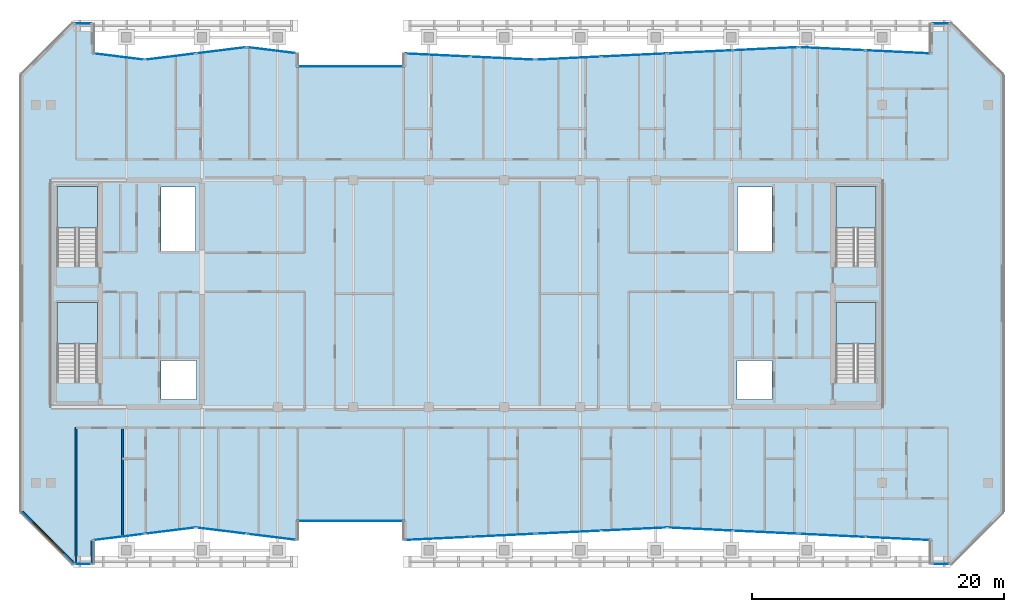
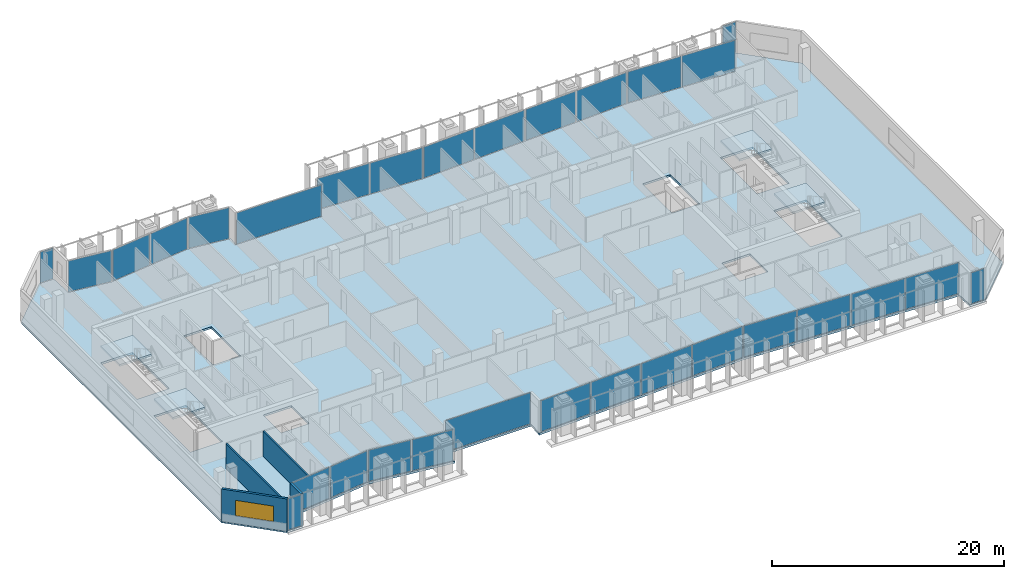
# One storey, part 20 of 32: 30 plates, 5 slabs, 4 walls, 1 window, 1 opening, 26 elements without a shape of their own.
"""IFC4 building model written with IfcOpenShell, lengths in metres."""

from ifc_helpers import new_model, si_unit, direction, frame, frame_2d, origin, origin_2d, place, context, subcontext, project, spatial, polyline, rectangle, outline, extrude, material, layer, layer_set, type_object, element, fill, aggregate, save


model = new_model("IFC4")

# Units and contexts
model_context = context("Model", 3, precision=1e-05, world=origin(), true_north=direction((0.0, 1.0)))
body_context = subcontext(model_context, "Body", "Model", "MODEL_VIEW")
ifc_project = project(units=[si_unit("LENGTHUNIT", "METRE"), si_unit("AREAUNIT", "SQUARE_METRE"), si_unit("VOLUMEUNIT", "CUBIC_METRE"), si_unit("PLANEANGLEUNIT", "RADIAN"), si_unit("MASSUNIT", "GRAM", prefix="KILO")], contexts=[model_context])

# Site, building, storey
site_placement = place(None, origin())
site = spatial("IfcSite", under=ifc_project, at=site_placement, CompositionType="ELEMENT")
building_placement = place(site_placement, origin())
building = spatial("IfcBuilding", under=site, at=building_placement, Name="Tanjung Sevakor Pilgrim Tower", CompositionType="ELEMENT")
storey_placement = place(building_placement, frame((0.0, 0.0, 211.860107421875)))
storey = spatial("IfcBuildingStorey", under=building, at=storey_placement, Name="L59", CompositionType="ELEMENT", Elevation=211.860107421875)

# Stair, slab
ifc_material_1 = material(Name="Concrete C40/50", Category="concrete")
stair_type = type_object("IfcStairType", Name="STAIR-ST-CR150", PredefinedType="HALF_TURN_STAIR", material=ifc_material_1)
stair_1_placement = place(storey_placement, origin())
stair_1 = element("IfcStair", 1, at=stair_1_placement, inside=storey, type_object=stair_type, Name="L59 West Core Exit Stair 1", PredefinedType="HALF_TURN_STAIR")
ifc_material_2 = material(Name="Concrete C40/50", Category="concrete")
ifc_layer_1 = layer(ifc_material_2, 0.199951171875)
ifc_layer_set_1 = layer_set([ifc_layer_1], Name="SL-LAND-200")
slab_type_1 = type_object("IfcSlabType", Name="SL-LAND-200", PredefinedType="LANDING", material=ifc_layer_set_1)
slab_1_placement = place(storey_placement, frame((0.0, 0.0, 1.614990234375)))
slab_1 = element("IfcSlab", 2, at=slab_1_placement, type_object=slab_type_1, Name="TS-W1 landing 1", PredefinedType="LANDING", context=body_context, shape_type="SweptSolid", body=[
    extrude(outline(polyline([(27.699951171875, 29.60009765625), (27.699951171875, 32.89990234375), (24.5, 32.89990234375), (24.5, 29.60009765625), (27.699951171875, 29.60009765625)])), origin(), (0.0, 0.0, 1.0), 0.199951171875),
])
aggregate(stair_1, [slab_1])

stair_2_placement = place(storey_placement, origin())
stair_2 = element("IfcStair", 3, at=stair_2_placement, inside=storey, type_object=stair_type, Name="L59 West Core Exit Stair 2", PredefinedType="HALF_TURN_STAIR")
slab_2_placement = place(storey_placement, frame((0.0, 0.0, 1.614990234375)))
slab_2 = element("IfcSlab", 4, at=slab_2_placement, type_object=slab_type_1, Name="TS-W2 landing 1", PredefinedType="LANDING", context=body_context, shape_type="SweptSolid", body=[
    extrude(outline(polyline([(27.699951171875, 38.800048828125), (27.699951171875, 42.10009765625), (24.5, 42.10009765625), (24.5, 38.800048828125), (27.699951171875, 38.800048828125)])), origin(), (0.0, 0.0, 1.0), 0.199951171875),
])
aggregate(stair_2, [slab_2])

stair_3_placement = place(storey_placement, origin())
stair_3 = element("IfcStair", 5, at=stair_3_placement, inside=storey, type_object=stair_type, Name="L59 East Core Exit Stair 1", PredefinedType="HALF_TURN_STAIR")
slab_3_placement = place(storey_placement, frame((0.0, 0.0, 1.614990234375)))
slab_3 = element("IfcSlab", 6, at=slab_3_placement, type_object=slab_type_1, Name="TS-E1 landing 1", PredefinedType="LANDING", context=body_context, shape_type="SweptSolid", body=[
    extrude(outline(polyline([(89.5, 29.60009765625), (89.5, 32.89990234375), (86.300048828125, 32.89990234375), (86.300048828125, 29.60009765625), (89.5, 29.60009765625)])), origin(), (0.0, 0.0, 1.0), 0.199951171875),
])
aggregate(stair_3, [slab_3])

stair_4_placement = place(storey_placement, origin())
stair_4 = element("IfcStair", 7, at=stair_4_placement, inside=storey, type_object=stair_type, Name="L59 East Core Exit Stair 2", PredefinedType="HALF_TURN_STAIR")
slab_4_placement = place(storey_placement, frame((0.0, 0.0, 1.614990234375)))
slab_4 = element("IfcSlab", 8, at=slab_4_placement, type_object=slab_type_1, Name="TS-E2 landing 1", PredefinedType="LANDING", context=body_context, shape_type="SweptSolid", body=[
    extrude(outline(polyline([(89.5, 38.800048828125), (89.5, 42.10009765625), (86.300048828125, 42.10009765625), (86.300048828125, 38.800048828125), (89.5, 38.800048828125)])), origin(), (0.0, 0.0, 1.0), 0.199951171875),
])
aggregate(stair_4, [slab_4])

# Slab
ifc_material_3 = material(Name="Concrete C40/50", Category="concrete")
ifc_layer_2 = layer(ifc_material_3, 0.219970703125)
ifc_layer_set_2 = layer_set([ifc_layer_2], Name="SL-TWR-220")
slab_type_2 = type_object("IfcSlabType", Name="SL-TWR-220", PredefinedType="FLOOR", material=ifc_layer_set_2)
slab_5_placement = place(storey_placement, frame((0.0, 0.0, -0.22021484375)))
element("IfcSlab", 9, at=slab_5_placement, inside=storey, type_object=slab_type_2, Name="L59 Floor Slab MAIN", PredefinedType="FLOOR", context=body_context, shape_type="SweptSolid", body=[
    extrude(outline(polyline([(25.846923828125, 12.1298828125), (27.320068359375, 12.1298828125), (27.39990234375, 14.010009765625), (31.449951171875, 14.510009765625), (35.5, 15.010009765625), (39.550048828125, 14.510009765625), (43.60009765625, 14.010009765625), (43.52001953125, 15.530029296875), (52.080078125, 15.530029296875), (52.0, 14.010009765625), (62.449951171875, 14.510009765625), (72.89990234375, 15.010009765625), (83.35009765625, 14.510009765625), (93.800048828125, 14.010009765625), (93.8798828125, 12.1298828125), (95.35302734375, 12.1298828125), (99.52001953125, 16.296875), (99.52001953125, 50.903076171875), (95.35302734375, 55.070068359375), (93.8798828125, 55.070068359375), (93.800048828125, 52.68994140625), (83.35009765625, 53.18994140625), (72.89990234375, 52.68994140625), (62.449951171875, 52.18994140625), (52.0, 52.68994140625), (52.080078125, 51.669921875), (43.52001953125, 51.669921875), (43.60009765625, 52.68994140625), (39.550048828125, 53.18994140625), (35.5, 52.68994140625), (31.449951171875, 52.18994140625), (27.39990234375, 52.68994140625), (27.320068359375, 55.070068359375), (25.846923828125, 55.070068359375), (21.679931640625, 50.903076171875), (21.679931640625, 16.296875), (25.846923828125, 12.1298828125)]), holes=[polyline([(27.699951171875, 26.60009765625), (27.699951171875, 32.89990234375), (24.5, 32.89990234375), (24.5, 26.60009765625), (27.699951171875, 26.60009765625)]), polyline([(27.699951171875, 35.800048828125), (27.699951171875, 42.10009765625), (24.5, 42.10009765625), (24.5, 35.800048828125), (27.699951171875, 35.800048828125)]), polyline([(89.5, 26.60009765625), (89.5, 32.89990234375), (86.300048828125, 32.89990234375), (86.300048828125, 26.60009765625), (89.5, 26.60009765625)]), polyline([(89.5, 35.800048828125), (89.5, 42.10009765625), (86.300048828125, 42.10009765625), (86.300048828125, 35.800048828125), (89.5, 35.800048828125)]), polyline([(32.75, 25.199951171875), (35.550048828125, 25.199951171875), (35.550048828125, 28.300048828125), (32.75, 28.300048828125), (32.75, 25.199951171875)]), polyline([(32.75, 37.0), (35.5, 37.0), (35.5, 42.050048828125), (32.75, 42.050048828125), (32.75, 37.0)]), polyline([(78.449951171875, 25.199951171875), (81.25, 25.199951171875), (81.25, 28.300048828125), (78.449951171875, 28.300048828125), (78.449951171875, 25.199951171875)]), polyline([(78.5, 37.0), (81.25, 37.0), (81.25, 42.050048828125), (78.5, 42.050048828125), (78.5, 37.0)])]), origin(), (0.0, 0.0, 1.0), 0.22021484375),
])

# Curtain wall, plate
ifc_material_4 = material(Name="Aluminium 6063-T6 and Low-E Glass", Category="aluminium")
ifc_layer_3 = layer(ifc_material_4, 0.179931640625)
ifc_layer_set_3 = layer_set([ifc_layer_3], Name="CW-SYS-CLEFT")
curtain_wall_type_1 = type_object("IfcCurtainWallType", Name="CW-SYS-CLEFT", PredefinedType="NOTDEFINED", material=ifc_layer_set_3)
curtain_wall_1_placement = place(storey_placement, origin())
curtain_wall_1 = element("IfcCurtainWall", 10, at=curtain_wall_1_placement, inside=storey, type_object=curtain_wall_type_1, Name="L59 Curtain Wall CW-CLF-L59-7", PredefinedType="NOTDEFINED")
ifc_material_5 = material(Name="Laminated Low-E Double Glazing", Category="glass")
ifc_layer_4 = layer(ifc_material_5, 0.028076171875)
ifc_layer_set_4 = layer_set([ifc_layer_4], Name="TYPE-CWP-GLZ1")
plate_type_1 = type_object("IfcPlateType", Name="TYPE-CWP-GLZ1", PredefinedType="CURTAIN_PANEL", material=ifc_layer_set_4)
plate_1_placement = place(storey_placement, frame((47.800048828125, 15.56005859375, 0.06494140625), z_axis=(0.0, 0.0, 1.0), x_axis=(1.0, 0.0, 0.0)))
plate_1 = element("IfcPlate", 11, at=plate_1_placement, type_object=plate_type_1, Name="CW-CLF panel 1.1", PredefinedType="CURTAIN_PANEL", context=body_context, shape_type="SweptSolid", body=[
    extrude(rectangle(XDim=8.469970703125, YDim=0.028076171875, at=origin_2d()), origin(), (0.0, 0.0, 1.0), 3.280029296875),
])
aggregate(curtain_wall_1, [plate_1])

curtain_wall_2_placement = place(storey_placement, origin())
curtain_wall_2 = element("IfcCurtainWall", 12, at=curtain_wall_2_placement, inside=storey, type_object=curtain_wall_type_1, Name="L59 Curtain Wall CW-CLF-L59-25", PredefinedType="NOTDEFINED")
plate_2_placement = place(storey_placement, frame((47.800048828125, 51.639892578125, 0.06494140625), z_axis=(0.0, 0.0, 1.0), x_axis=(-1.0, 0.0, 0.0)))
plate_2 = element("IfcPlate", 13, at=plate_2_placement, type_object=plate_type_1, Name="CW-CLF panel 1.1", PredefinedType="CURTAIN_PANEL", context=body_context, shape_type="SweptSolid", body=[
    extrude(rectangle(XDim=8.469970703125, YDim=0.028076171875, at=origin_2d()), origin(), (0.0, 0.0, 1.0), 3.280029296875),
])
aggregate(curtain_wall_2, [plate_2])

ifc_material_6 = material(Name="Aluminium 6063-T6 and Low-E Glass", Category="aluminium")
ifc_layer_5 = layer(ifc_material_6, 0.199951171875)
ifc_layer_set_5 = layer_set([ifc_layer_5], Name="CW-SYS-PRAY")
curtain_wall_type_2 = type_object("IfcCurtainWallType", Name="CW-SYS-PRAY", PredefinedType="NOTDEFINED", material=ifc_layer_set_5)
curtain_wall_3_placement = place(storey_placement, origin())
curtain_wall_3 = element("IfcCurtainWall", 14, at=curtain_wall_3_placement, inside=storey, type_object=curtain_wall_type_2, Name="L59 Curtain Wall CW-PRY-L59-0", PredefinedType="NOTDEFINED")
ifc_material_7 = material(Name="Solar-Control Low-E Acoustic Glazing", Category="glass")
ifc_layer_6 = layer(ifc_material_7, 0.031982421875)
ifc_layer_set_6 = layer_set([ifc_layer_6], Name="TYPE-CWP-GLZ2")
plate_type_2 = type_object("IfcPlateType", Name="TYPE-CWP-GLZ2", PredefinedType="CURTAIN_PANEL", material=ifc_layer_set_6)
plate_3_placement = place(storey_placement, frame((26.56787109375, 12.159912109375, 0.07470703125), z_axis=(0.0, 0.0, 1.0), x_axis=(1.0, 0.0, 0.0)))
plate_3 = element("IfcPlate", 15, at=plate_3_placement, type_object=plate_type_2, Name="CW-PRY panel 1.1", PredefinedType="CURTAIN_PANEL", context=body_context, shape_type="SweptSolid", body=[
    extrude(rectangle(XDim=1.29443359375, YDim=0.031982421875, at=origin_2d()), origin(), (0.0, 0.0, 1.0), 3.260009765625),
])
aggregate(curtain_wall_3, [plate_3])

curtain_wall_4_placement = place(storey_placement, origin())
curtain_wall_4 = element("IfcCurtainWall", 16, at=curtain_wall_4_placement, inside=storey, type_object=curtain_wall_type_2, Name="L59 Curtain Wall CW-PRY-L59-2", PredefinedType="NOTDEFINED")
plate_4_placement = place(storey_placement, frame((29.36328125, 14.283203125, 0.07470703125), z_axis=(0.0, 0.0, 1.0), x_axis=(0.992465628481, 0.122523370361, 0.0)))
plate_4 = element("IfcPlate", 17, at=plate_4_placement, type_object=plate_type_2, Name="CW-PRY panel 1.1", PredefinedType="CURTAIN_PANEL", context=body_context, shape_type="SweptSolid", body=[
    extrude(rectangle(XDim=4.028076171875, YDim=0.031982421875, at=origin_2d()), origin(), (0.0, 0.0, 1.0), 3.260009765625),
])
aggregate(curtain_wall_4, [plate_4])

curtain_wall_5_placement = place(storey_placement, origin())
curtain_wall_5 = element("IfcCurtainWall", 18, at=curtain_wall_5_placement, inside=storey, type_object=curtain_wall_type_2, Name="L59 Curtain Wall CW-PRY-L59-3", PredefinedType="NOTDEFINED")
plate_5_placement = place(storey_placement, frame((33.46826171875, 14.7900390625, 0.07470703125), z_axis=(0.0, 0.0, 1.0), x_axis=(0.992467213116, 0.122510533794, 0.0)))
plate_5 = element("IfcPlate", 19, at=plate_5_placement, type_object=plate_type_2, Name="CW-PRY panel 1.1", PredefinedType="CURTAIN_PANEL", context=body_context, shape_type="SweptSolid", body=[
    extrude(rectangle(XDim=3.9443359375, YDim=0.031982421875, at=origin_2d()), origin(), (0.0, 0.0, 1.0), 3.260009765625),
])
aggregate(curtain_wall_5, [plate_5])

curtain_wall_6_placement = place(storey_placement, origin())
curtain_wall_6 = element("IfcCurtainWall", 20, at=curtain_wall_6_placement, inside=storey, type_object=curtain_wall_type_2, Name="L59 Curtain Wall CW-PRY-L59-4", PredefinedType="NOTDEFINED")
plate_6_placement = place(storey_placement, frame((37.53173828125, 14.7900390625, 0.07470703125), z_axis=(0.0, 0.0, 1.0), x_axis=(0.992467213116, -0.122510533794, 0.0)))
plate_6 = element("IfcPlate", 21, at=plate_6_placement, type_object=plate_type_2, Name="CW-PRY panel 1.1", PredefinedType="CURTAIN_PANEL", context=body_context, shape_type="SweptSolid", body=[
    extrude(rectangle(XDim=3.9443359375, YDim=0.031982421875, at=origin_2d()), origin(), (0.0, 0.0, 1.0), 3.260009765625),
])
aggregate(curtain_wall_6, [plate_6])

curtain_wall_7_placement = place(storey_placement, origin())
curtain_wall_7 = element("IfcCurtainWall", 22, at=curtain_wall_7_placement, inside=storey, type_object=curtain_wall_type_2, Name="L59 Curtain Wall CW-PRY-L59-5", PredefinedType="NOTDEFINED")
plate_7_placement = place(storey_placement, frame((41.52685546875, 14.296875, 0.07470703125), z_axis=(0.0, 0.0, 1.0), x_axis=(0.992463791194, -0.122538251863, 0.0)))
plate_7 = element("IfcPlate", 23, at=plate_7_placement, type_object=plate_type_2, Name="CW-PRY panel 1.1", PredefinedType="CURTAIN_PANEL", context=body_context, shape_type="SweptSolid", body=[
    extrude(rectangle(XDim=3.806396484375, YDim=0.031982421875, at=origin_2d()), origin(), (0.0, 0.0, 1.0), 3.260009765625),
])
aggregate(curtain_wall_7, [plate_7])

# Curtain wall, plates
curtain_wall_8_placement = place(storey_placement, origin())
curtain_wall_8 = element("IfcCurtainWall", 24, at=curtain_wall_8_placement, inside=storey, type_object=curtain_wall_type_2, Name="L59 Curtain Wall CW-PRY-L59-9", PredefinedType="NOTDEFINED")
plate_8_placement = place(storey_placement, frame((54.71240234375, 14.169921875, 0.07470703125), z_axis=(0.0, 0.0, 1.0), x_axis=(0.99885722193, 0.047793830125, 0.0)))
plate_8 = element("IfcPlate", 25, at=plate_8_placement, type_object=plate_type_2, Name="CW-PRY panel 1.1", PredefinedType="CURTAIN_PANEL", context=body_context, shape_type="SweptSolid", body=[
    extrude(rectangle(XDim=5.060791015625, YDim=0.031982421875, at=origin_2d()), origin(), (0.0, 0.0, 1.0), 3.260009765625),
])
plate_9_placement = place(storey_placement, frame((59.84228515625, 14.415283203125, 0.07470703125), z_axis=(0.0, 0.0, 1.0), x_axis=(0.99885722193, 0.047793830125, 0.0)))
plate_9 = element("IfcPlate", 26, at=plate_9_placement, type_object=plate_type_2, Name="CW-PRY panel 2.1", PredefinedType="CURTAIN_PANEL", context=body_context, shape_type="SweptSolid", body=[
    extrude(rectangle(XDim=5.060791015625, YDim=0.031982421875, at=origin_2d()), origin(), (0.0, 0.0, 1.0), 3.260009765625),
])
aggregate(curtain_wall_8, [plate_8, plate_9])

curtain_wall_9_placement = place(storey_placement, origin())
curtain_wall_9 = element("IfcCurtainWall", 27, at=curtain_wall_9_placement, inside=storey, type_object=curtain_wall_type_2, Name="L59 Curtain Wall CW-PRY-L59-10", PredefinedType="NOTDEFINED")
plate_10_placement = place(storey_placement, frame((65.0771484375, 14.665771484375, 0.07470703125), z_axis=(0.0, 0.0, 1.0), x_axis=(0.998857543583, 0.047787107337, 0.0)))
plate_10 = element("IfcPlate", 28, at=plate_10_placement, type_object=plate_type_2, Name="CW-PRY panel 1.1", PredefinedType="CURTAIN_PANEL", context=body_context, shape_type="SweptSolid", body=[
    extrude(rectangle(XDim=5.12109375, YDim=0.031982421875, at=origin_2d()), origin(), (0.0, 0.0, 1.0), 3.260009765625),
])
plate_11_placement = place(storey_placement, frame((70.267333984375, 14.9140625, 0.07470703125), z_axis=(0.0, 0.0, 1.0), x_axis=(0.998857543583, 0.047787107337, 0.0)))
plate_11 = element("IfcPlate", 29, at=plate_11_placement, type_object=plate_type_2, Name="CW-PRY panel 2.1", PredefinedType="CURTAIN_PANEL", context=body_context, shape_type="SweptSolid", body=[
    extrude(rectangle(XDim=5.12109375, YDim=0.031982421875, at=origin_2d()), origin(), (0.0, 0.0, 1.0), 3.260009765625),
])
aggregate(curtain_wall_9, [plate_10, plate_11])

curtain_wall_10_placement = place(storey_placement, origin())
curtain_wall_10 = element("IfcCurtainWall", 30, at=curtain_wall_10_placement, inside=storey, type_object=curtain_wall_type_2, Name="L59 Curtain Wall CW-PRY-L59-11", PredefinedType="NOTDEFINED")
plate_12_placement = place(storey_placement, frame((75.532470703125, 14.9140625, 0.07470703125), z_axis=(0.0, 0.0, 1.0), x_axis=(0.998857543583, -0.047787107337, 0.0)))
plate_12 = element("IfcPlate", 31, at=plate_12_placement, type_object=plate_type_2, Name="CW-PRY panel 1.1", PredefinedType="CURTAIN_PANEL", context=body_context, shape_type="SweptSolid", body=[
    extrude(rectangle(XDim=5.12109375, YDim=0.031982421875, at=origin_2d()), origin(), (0.0, 0.0, 1.0), 3.260009765625),
])
plate_13_placement = place(storey_placement, frame((80.72265625, 14.665771484375, 0.07470703125), z_axis=(0.0, 0.0, 1.0), x_axis=(0.998857543583, -0.047787107337, 0.0)))
plate_13 = element("IfcPlate", 32, at=plate_13_placement, type_object=plate_type_2, Name="CW-PRY panel 2.1", PredefinedType="CURTAIN_PANEL", context=body_context, shape_type="SweptSolid", body=[
    extrude(rectangle(XDim=5.12109375, YDim=0.031982421875, at=origin_2d()), origin(), (0.0, 0.0, 1.0), 3.260009765625),
])
aggregate(curtain_wall_10, [plate_12, plate_13])

curtain_wall_11_placement = place(storey_placement, origin())
curtain_wall_11 = element("IfcCurtainWall", 33, at=curtain_wall_11_placement, inside=storey, type_object=curtain_wall_type_2, Name="L59 Curtain Wall CW-PRY-L59-12", PredefinedType="NOTDEFINED")
plate_14_placement = place(storey_placement, frame((86.0126953125, 14.412841796875, 0.07470703125), z_axis=(0.0, 0.0, 1.0), x_axis=(0.998857342428, -0.047791311738, 0.0)))
plate_14 = element("IfcPlate", 34, at=plate_14_placement, type_object=plate_type_2, Name="CW-PRY panel 1.1", PredefinedType="CURTAIN_PANEL", context=body_context, shape_type="SweptSolid", body=[
    extrude(rectangle(XDim=5.1708984375, YDim=0.031982421875, at=origin_2d()), origin(), (0.0, 0.0, 1.0), 3.260009765625),
])
plate_15_placement = place(storey_placement, frame((91.252685546875, 14.162109375, 0.07470703125), z_axis=(0.0, 0.0, 1.0), x_axis=(0.998857342428, -0.047791311738, 0.0)))
plate_15 = element("IfcPlate", 35, at=plate_15_placement, type_object=plate_type_2, Name="CW-PRY panel 2.1", PredefinedType="CURTAIN_PANEL", context=body_context, shape_type="SweptSolid", body=[
    extrude(rectangle(XDim=5.1708984375, YDim=0.031982421875, at=origin_2d()), origin(), (0.0, 0.0, 1.0), 3.260009765625),
])
aggregate(curtain_wall_11, [plate_14, plate_15])

# Curtain wall, plate
curtain_wall_12_placement = place(storey_placement, origin())
curtain_wall_12 = element("IfcCurtainWall", 36, at=curtain_wall_12_placement, inside=storey, type_object=curtain_wall_type_2, Name="L59 Curtain Wall CW-PRY-L59-14", PredefinedType="NOTDEFINED")
plate_16_placement = place(storey_placement, frame((94.632080078125, 12.159912109375, 0.07470703125), z_axis=(0.0, 0.0, 1.0), x_axis=(1.0, 0.0, 0.0)))
plate_16 = element("IfcPlate", 37, at=plate_16_placement, type_object=plate_type_2, Name="CW-PRY panel 1.1", PredefinedType="CURTAIN_PANEL", context=body_context, shape_type="SweptSolid", body=[
    extrude(rectangle(XDim=1.29443359375, YDim=0.031982421875, at=origin_2d()), origin(), (0.0, 0.0, 1.0), 3.260009765625),
])
aggregate(curtain_wall_12, [plate_16])

curtain_wall_13_placement = place(storey_placement, origin())
curtain_wall_13 = element("IfcCurtainWall", 38, at=curtain_wall_13_placement, inside=storey, type_object=curtain_wall_type_2, Name="L59 Curtain Wall CW-PRY-L59-18", PredefinedType="NOTDEFINED")
plate_17_placement = place(storey_placement, frame((94.632080078125, 55.0400390625, 0.07470703125), z_axis=(0.0, 0.0, 1.0), x_axis=(-1.0, 0.0, 0.0)))
plate_17 = element("IfcPlate", 39, at=plate_17_placement, type_object=plate_type_2, Name="CW-PRY panel 1.1", PredefinedType="CURTAIN_PANEL", context=body_context, shape_type="SweptSolid", body=[
    extrude(rectangle(XDim=1.29443359375, YDim=0.031982421875, at=origin_2d()), origin(), (0.0, 0.0, 1.0), 3.260009765625),
])
aggregate(curtain_wall_13, [plate_17])

# Curtain wall, plates
curtain_wall_14_placement = place(storey_placement, origin())
curtain_wall_14 = element("IfcCurtainWall", 40, at=curtain_wall_14_placement, inside=storey, type_object=curtain_wall_type_2, Name="L59 Curtain Wall CW-PRY-L59-20", PredefinedType="NOTDEFINED")
plate_18_placement = place(storey_placement, frame((91.251220703125, 52.78173828125, 0.07470703125), z_axis=(0.0, 0.0, 1.0), x_axis=(-0.998857132833, 0.047795692163, 0.0)))
plate_18 = element("IfcPlate", 41, at=plate_18_placement, type_object=plate_type_2, Name="CW-PRY panel 1.1", PredefinedType="CURTAIN_PANEL", context=body_context, shape_type="SweptSolid", body=[
    extrude(rectangle(XDim=5.173583984375, YDim=0.031982421875, at=origin_2d()), origin(), (0.0, 0.0, 1.0), 3.260009765625),
])
plate_19_placement = place(storey_placement, frame((86.0087890625, 53.03271484375, 0.07470703125), z_axis=(0.0, 0.0, 1.0), x_axis=(-0.998857132833, 0.047795692163, 0.0)))
plate_19 = element("IfcPlate", 42, at=plate_19_placement, type_object=plate_type_2, Name="CW-PRY panel 2.1", PredefinedType="CURTAIN_PANEL", context=body_context, shape_type="SweptSolid", body=[
    extrude(rectangle(XDim=5.173583984375, YDim=0.031982421875, at=origin_2d()), origin(), (0.0, 0.0, 1.0), 3.260009765625),
])
aggregate(curtain_wall_14, [plate_18, plate_19])

curtain_wall_15_placement = place(storey_placement, origin())
curtain_wall_15 = element("IfcCurtainWall", 43, at=curtain_wall_15_placement, inside=storey, type_object=curtain_wall_type_2, Name="L59 Curtain Wall CW-PRY-L59-21", PredefinedType="NOTDEFINED")
plate_20_placement = place(storey_placement, frame((80.72021484375, 53.033935546875, 0.07470703125), z_axis=(0.0, 0.0, 1.0), x_axis=(-0.998857054537, -0.047797328387, 0.0)))
plate_20 = element("IfcPlate", 44, at=plate_20_placement, type_object=plate_type_2, Name="CW-PRY panel 1.1", PredefinedType="CURTAIN_PANEL", context=body_context, shape_type="SweptSolid", body=[
    extrude(rectangle(XDim=5.11572265625, YDim=0.031982421875, at=origin_2d()), origin(), (0.0, 0.0, 1.0), 3.260009765625),
])
plate_21_placement = place(storey_placement, frame((75.53515625, 52.785888671875, 0.07470703125), z_axis=(0.0, 0.0, 1.0), x_axis=(-0.998857054537, -0.047797328387, 0.0)))
plate_21 = element("IfcPlate", 45, at=plate_21_placement, type_object=plate_type_2, Name="CW-PRY panel 2.1", PredefinedType="CURTAIN_PANEL", context=body_context, shape_type="SweptSolid", body=[
    extrude(rectangle(XDim=5.11572265625, YDim=0.031982421875, at=origin_2d()), origin(), (0.0, 0.0, 1.0), 3.260009765625),
])
aggregate(curtain_wall_15, [plate_20, plate_21])

curtain_wall_16_placement = place(storey_placement, origin())
curtain_wall_16 = element("IfcCurtainWall", 46, at=curtain_wall_16_placement, inside=storey, type_object=curtain_wall_type_2, Name="L59 Curtain Wall CW-PRY-L59-22", PredefinedType="NOTDEFINED")
plate_22_placement = place(storey_placement, frame((70.272705078125, 52.5341796875, 0.07470703125), z_axis=(0.0, 0.0, 1.0), x_axis=(-0.998857543583, -0.047787107337, 0.0)))
plate_22 = element("IfcPlate", 47, at=plate_22_placement, type_object=plate_type_2, Name="CW-PRY panel 1.1", PredefinedType="CURTAIN_PANEL", context=body_context, shape_type="SweptSolid", body=[
    extrude(rectangle(XDim=5.12109375, YDim=0.031982421875, at=origin_2d()), origin(), (0.0, 0.0, 1.0), 3.260009765625),
])
plate_23_placement = place(storey_placement, frame((65.08251953125, 52.285888671875, 0.07470703125), z_axis=(0.0, 0.0, 1.0), x_axis=(-0.998857543583, -0.047787107337, 0.0)))
plate_23 = element("IfcPlate", 48, at=plate_23_placement, type_object=plate_type_2, Name="CW-PRY panel 2.1", PredefinedType="CURTAIN_PANEL", context=body_context, shape_type="SweptSolid", body=[
    extrude(rectangle(XDim=5.12109375, YDim=0.031982421875, at=origin_2d()), origin(), (0.0, 0.0, 1.0), 3.260009765625),
])
aggregate(curtain_wall_16, [plate_22, plate_23])

curtain_wall_17_placement = place(storey_placement, origin())
curtain_wall_17 = element("IfcCurtainWall", 49, at=curtain_wall_17_placement, inside=storey, type_object=curtain_wall_type_2, Name="L59 Curtain Wall CW-PRY-L59-23", PredefinedType="NOTDEFINED")
plate_24_placement = place(storey_placement, frame((59.84619140625, 52.284423828125, 0.07470703125), z_axis=(0.0, 0.0, 1.0), x_axis=(-0.998857469088, 0.047788664414, 0.0)))
plate_24 = element("IfcPlate", 50, at=plate_24_placement, type_object=plate_type_2, Name="CW-PRY panel 1.1", PredefinedType="CURTAIN_PANEL", context=body_context, shape_type="SweptSolid", body=[
    extrude(rectangle(XDim=5.0634765625, YDim=0.031982421875, at=origin_2d()), origin(), (0.0, 0.0, 1.0), 3.260009765625),
])
plate_25_placement = place(storey_placement, frame((54.713623046875, 52.530029296875, 0.07470703125), z_axis=(0.0, 0.0, 1.0), x_axis=(-0.998857469088, 0.047788664414, 0.0)))
plate_25 = element("IfcPlate", 51, at=plate_25_placement, type_object=plate_type_2, Name="CW-PRY panel 2.1", PredefinedType="CURTAIN_PANEL", context=body_context, shape_type="SweptSolid", body=[
    extrude(rectangle(XDim=5.0634765625, YDim=0.031982421875, at=origin_2d()), origin(), (0.0, 0.0, 1.0), 3.260009765625),
])
aggregate(curtain_wall_17, [plate_24, plate_25])

# Curtain wall, plate
curtain_wall_18_placement = place(storey_placement, origin())
curtain_wall_18 = element("IfcCurtainWall", 52, at=curtain_wall_18_placement, inside=storey, type_object=curtain_wall_type_2, Name="L59 Curtain Wall CW-PRY-L59-27", PredefinedType="NOTDEFINED")
plate_26_placement = place(storey_placement, frame((41.52001953125, 52.916015625, 0.07470703125), z_axis=(0.0, 0.0, 1.0), x_axis=(-0.992462774964, 0.122546482242, 0.0)))
plate_26 = element("IfcPlate", 53, at=plate_26_placement, type_object=plate_type_2, Name="CW-PRY panel 1.1", PredefinedType="CURTAIN_PANEL", context=body_context, shape_type="SweptSolid", body=[
    extrude(rectangle(XDim=3.81982421875, YDim=0.031982421875, at=origin_2d()), origin(), (0.0, 0.0, 1.0), 3.260009765625),
])
aggregate(curtain_wall_18, [plate_26])

curtain_wall_19_placement = place(storey_placement, origin())
curtain_wall_19 = element("IfcCurtainWall", 54, at=curtain_wall_19_placement, inside=storey, type_object=curtain_wall_type_2, Name="L59 Curtain Wall CW-PRY-L59-28", PredefinedType="NOTDEFINED")
plate_27_placement = place(storey_placement, frame((37.53173828125, 52.909912109375, 0.07470703125), z_axis=(0.0, 0.0, 1.0), x_axis=(-0.99246323983, -0.122542717395, 0.0)))
plate_27 = element("IfcPlate", 55, at=plate_27_placement, type_object=plate_type_2, Name="CW-PRY panel 1.1", PredefinedType="CURTAIN_PANEL", context=body_context, shape_type="SweptSolid", body=[
    extrude(rectangle(XDim=3.917236328125, YDim=0.031982421875, at=origin_2d()), origin(), (0.0, 0.0, 1.0), 3.260009765625),
])
aggregate(curtain_wall_19, [plate_27])

curtain_wall_20_placement = place(storey_placement, origin())
curtain_wall_20 = element("IfcCurtainWall", 56, at=curtain_wall_20_placement, inside=storey, type_object=curtain_wall_type_2, Name="L59 Curtain Wall CW-PRY-L59-29", PredefinedType="NOTDEFINED")
plate_28_placement = place(storey_placement, frame((33.481689453125, 52.409912109375, 0.07470703125), z_axis=(0.0, 0.0, 1.0), x_axis=(-0.992467213116, -0.122510533794, 0.0)))
plate_28 = element("IfcPlate", 57, at=plate_28_placement, type_object=plate_type_2, Name="CW-PRY panel 1.1", PredefinedType="CURTAIN_PANEL", context=body_context, shape_type="SweptSolid", body=[
    extrude(rectangle(XDim=3.9443359375, YDim=0.031982421875, at=origin_2d()), origin(), (0.0, 0.0, 1.0), 3.260009765625),
])
aggregate(curtain_wall_20, [plate_28])

curtain_wall_21_placement = place(storey_placement, origin())
curtain_wall_21 = element("IfcCurtainWall", 58, at=curtain_wall_21_placement, inside=storey, type_object=curtain_wall_type_2, Name="L59 Curtain Wall CW-PRY-L59-30", PredefinedType="NOTDEFINED")
plate_29_placement = place(storey_placement, frame((29.3701171875, 52.416015625, 0.07470703125), z_axis=(0.0, 0.0, 1.0), x_axis=(-0.992467561116, 0.12250771458, 0.0)))
plate_29 = element("IfcPlate", 59, at=plate_29_placement, type_object=plate_type_2, Name="CW-PRY panel 1.1", PredefinedType="CURTAIN_PANEL", context=body_context, shape_type="SweptSolid", body=[
    extrude(rectangle(XDim=4.04150390625, YDim=0.031982421875, at=origin_2d()), origin(), (0.0, 0.0, 1.0), 3.260009765625),
])
aggregate(curtain_wall_21, [plate_29])

curtain_wall_22_placement = place(storey_placement, origin())
curtain_wall_22 = element("IfcCurtainWall", 60, at=curtain_wall_22_placement, inside=storey, type_object=curtain_wall_type_2, Name="L59 Curtain Wall CW-PRY-L59-32", PredefinedType="NOTDEFINED")
plate_30_placement = place(storey_placement, frame((26.56787109375, 55.0400390625, 0.07470703125), z_axis=(0.0, 0.0, 1.0), x_axis=(-1.0, 0.0, 0.0)))
plate_30 = element("IfcPlate", 61, at=plate_30_placement, type_object=plate_type_2, Name="CW-PRY panel 1.1", PredefinedType="CURTAIN_PANEL", context=body_context, shape_type="SweptSolid", body=[
    extrude(rectangle(XDim=1.29443359375, YDim=0.031982421875, at=origin_2d()), origin(), (0.0, 0.0, 1.0), 3.260009765625),
])
aggregate(curtain_wall_22, [plate_30])

# Walls
ifc_material_8 = material(Name="Concrete C40/50", Category="concrete")
ifc_layer_7 = layer(ifc_material_8, 0.14990234375)
ifc_layer_set_7 = layer_set([ifc_layer_7], Name="WT-COMP-150")
wall_type_1 = type_object("IfcWallType", Name="WT-COMP-150", PredefinedType="SOLIDWALL", material=ifc_layer_set_7)
wall_1_placement = place(storey_placement, frame((26.0, 12.159912109375, 0.0), z_axis=(0.0, 0.0, 1.0), x_axis=(0.0, 1.0, 0.0)))
element("IfcWall", 62, at=wall_1_placement, inside=storey, type_object=wall_type_1, Name="L59 Partition IW-L59-065", PredefinedType="SOLIDWALL", context=body_context, shape_type="SweptSolid", body=[
    extrude(rectangle(XDim=10.7900390625, YDim=0.14990234375, at=frame_2d((5.39501953125, 0.0))), origin(), (0.0, 0.0, 1.0), 2.6298828125),
])
wall_2_placement = place(storey_placement, frame((29.686279296875, 14.322998046875, 0.0), z_axis=(0.0, 0.0, 1.0), x_axis=(0.0, 1.0, 0.0)))
element("IfcWall", 63, at=wall_2_placement, inside=storey, type_object=wall_type_1, Name="L59 Partition IW-L59-066", PredefinedType="SOLIDWALL", context=body_context, shape_type="SweptSolid", body=[
    extrude(rectangle(XDim=8.626953125, YDim=0.14990234375, at=frame_2d((4.3134765625, 0.0))), origin(), (0.0, 0.0, 1.0), 2.6298828125),
])
ifc_material_9 = material(Name="Precast concrete C45/55", Category="concrete")
ifc_layer_8 = layer(ifc_material_9, 0.219970703125)
ifc_layer_set_8 = layer_set([ifc_layer_8], Name="WT-EW-STN4")
wall_type_2 = type_object("IfcWallType", Name="WT-EW-STN4", PredefinedType="SOLIDWALL", material=ifc_layer_set_8)
wall_3_placement = place(storey_placement, frame((27.2900390625, 12.159912109375, 0.0), z_axis=(0.0, 0.0, 1.0), x_axis=(0.0, 1.0, 0.0)))
element("IfcWall", 64, at=wall_3_placement, inside=storey, type_object=wall_type_2, Name="L59 MAIN Exterior Wall 2", PredefinedType="SOLIDWALL", context=body_context, shape_type="SweptSolid", body=[
    extrude(rectangle(XDim=1.867431640625, YDim=0.219970703125, at=frame_2d((0.93359375, 0.0))), origin(), (0.0, 0.0, 1.0), 3.409912109375),
])

# Wall, opening, window
wall_4_placement = place(storey_placement, frame((21.7099609375, 16.295654296875, 0.0), z_axis=(0.0, 0.0, 1.0), x_axis=(0.707106781187, -0.707106781187, 0.0)))
wall_4 = element("IfcWall", 65, at=wall_4_placement, inside=storey, type_object=wall_type_2, Name="L59 MAIN Sculpted Corner Wall 35", PredefinedType="SOLIDWALL", context=body_context, shape_type="SweptSolid", body=[
    extrude(rectangle(XDim=5.848876953125, YDim=0.219970703125, at=frame_2d((2.92431640625, 0.0))), origin(), (0.0, 0.0, 1.0), 3.409912109375),
])
opening_placement = place(wall_4_placement, frame((1.224365234375, 0.0, 0.780029296875)))
opening = element("IfcOpeningElement", 66, at=opening_placement, cuts=wall_4, Name="Opening WN-CHM-1660", PredefinedType="OPENING", context=body_context, shape_type="SweptSolid", body=[
    extrude(rectangle(XDim=3.39990234375, YDim=1.659912109375, at=frame_2d((1.699951171875, 0.830078125))), frame((0.0, 0.119873046875, 0.0), z_axis=(0.0, -1.0, 0.0), x_axis=(1.0, 0.0, 0.0)), (0.0, 0.0, 1.0), 0.239990234375),
])
ifc_material_10 = material(Name="Thermally Broken Aluminium and Low-E Glass", Category="aluminium")
window_type = type_object("IfcWindowType", Name="WTYP-WN-CHM-1660", PartitioningType="DOUBLE_PANEL_VERTICAL", PredefinedType="WINDOW", material=ifc_material_10)
window_placement = place(opening_placement, origin())
window = element("IfcWindow", 67, at=window_placement, inside=storey, type_object=window_type, Name="L59 Facade Window 01", OverallHeight=1.659912109375, OverallWidth=3.39990234375, PartitioningType="SINGLE_PANEL", PredefinedType="WINDOW", context=body_context, shape_type="SweptSolid", body=[
    extrude(rectangle(XDim=3.39990234375, YDim=1.659912109375, at=frame_2d((1.699951171875, 0.830078125))), frame((0.0, 0.030029296875, 0.0), z_axis=(0.0, -1.0, 0.0), x_axis=(1.0, 0.0, 0.0)), (0.0, 0.0, 1.0), 0.06005859375),
])
fill(opening, window)

save(model, "model.ifc")
